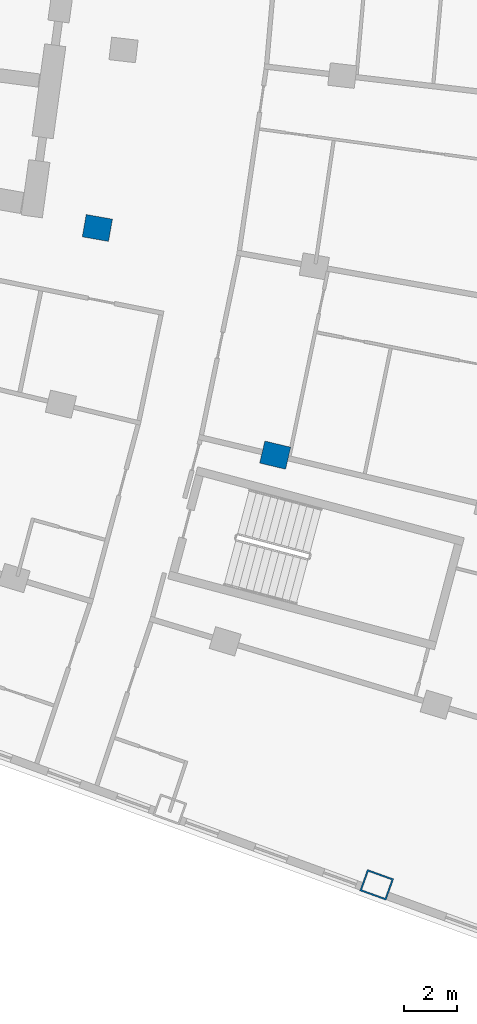
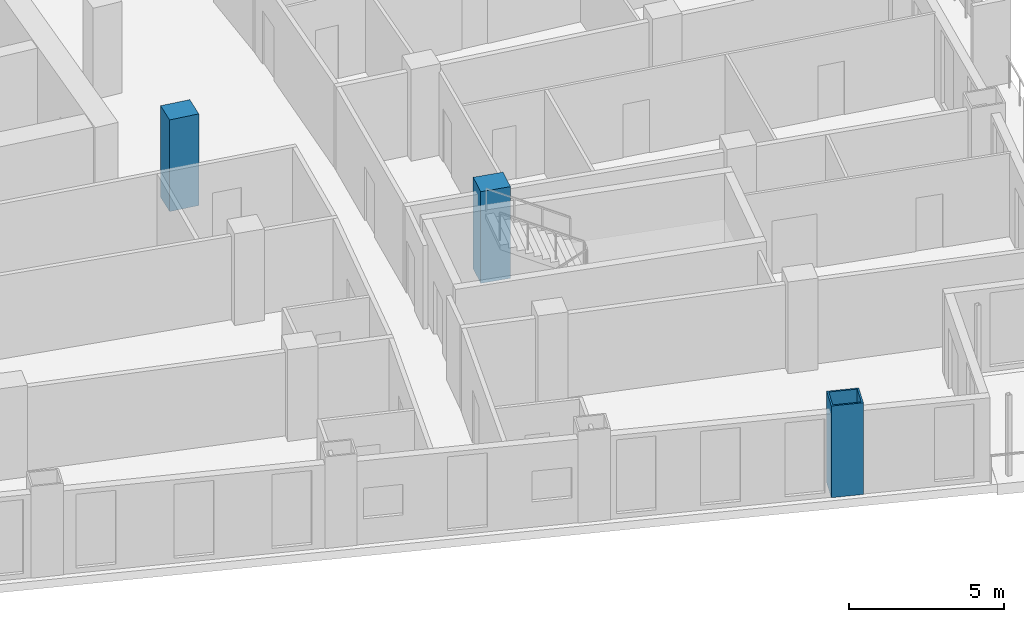
# One storey, part 4 of 25: 3 columns.
"""IFC4 building model written with IfcOpenShell, lengths in metres."""

import ifcopenshell
import ifcopenshell.guid

model = None  # the IFC model being written
_history = None  # IfcOwnerHistory: only IFC2X3 demands one
_inside = {}  # id of a spatial element -> (the spatial element, [elements in it])
_under = {}  # id of a project, library or spatial element -> (it, [spatial elements below it])
_declared = {}  # id of a project -> (the project, [libraries it declares])
_typed = {}  # id of a type object -> (the type object, [elements of that type])
_made_of = {}  # id of a material, layer set ... -> (it, [elements and type objects made of it])


def new_model(schema):
    """Start an empty IFC model of exactly this schema.

    Asked for "IFC4X3", IfcOpenShell would pick the latest addendum, in which some entities
    have other attributes; the version numbers below select the first issue.
    IFC2X3 requires an IfcOwnerHistory on every rooted entity: one is made here for all.
    """
    global model, _history
    if schema == "IFC4X3":
        model = ifcopenshell.file(schema_version=(4, 3, 0, 0))
    else:
        model = ifcopenshell.file(schema=schema)
    _inside.clear()
    _under.clear()
    _declared.clear()
    _typed.clear()
    _made_of.clear()
    _history = None
    if model.schema == "IFC2X3":
        org = make("IfcOrganization", Name="unknown")
        user = make(
            "IfcPersonAndOrganization",
            ThePerson=make("IfcPerson", FamilyName="unknown"),
            TheOrganization=org,
        )
        app = make(
            "IfcApplication",
            ApplicationDeveloper=org,
            Version="unknown",
            ApplicationFullName="unknown",
            ApplicationIdentifier="unknown",
        )
        _history = make(
            "IfcOwnerHistory",
            OwningUser=user,
            OwningApplication=app,
            ChangeAction="ADDED",
            CreationDate=0,
        )
    return model


def make(cls, **values):
    """One entity of the class cls with the attributes given. An attribute that is None is left unset."""
    return model.create_entity(
        cls, **{name: value for name, value in values.items() if value is not None}
    )


def rooted(cls, **values):
    """An entity with a GlobalId (a new one), such as an element, a storey or a relation."""
    return make(cls, GlobalId=ifcopenshell.guid.new(), OwnerHistory=_history, **values)


def si_unit(unit_type, name, prefix=None):
    """IfcSIUnit, for example si_unit("LENGTHUNIT", "METRE", prefix="MILLI")."""
    return make("IfcSIUnit", UnitType=unit_type, Prefix=prefix, Name=name)


def assignment(units):
    """IfcUnitAssignment: the units of a project."""
    return None if units is None else make("IfcUnitAssignment", Units=units)


def point(xyz):
    """IfcCartesianPoint."""
    return None if xyz is None else make("IfcCartesianPoint", Coordinates=xyz)


def direction(xyz):
    """IfcDirection."""
    return None if xyz is None else make("IfcDirection", DirectionRatios=xyz)


def frame(location, z_axis=None, x_axis=None):
    """IfcAxis2Placement3D, a coordinate frame: its origin and axes. An axis left out is left unset."""
    return make(
        "IfcAxis2Placement3D",
        Location=point(location),
        Axis=direction(z_axis),
        RefDirection=direction(x_axis),
    )


def frame_2d(location, x_axis=None):
    """IfcAxis2Placement2D, a coordinate frame in the plane: its origin and x axis."""
    return make(
        "IfcAxis2Placement2D", Location=point(location), RefDirection=direction(x_axis)
    )


def origin():
    """The frame at (0, 0, 0) with its axes left unset."""
    return frame((0.0, 0.0, 0.0))


def origin_2d():
    """The frame at (0, 0) in the plane with its x axis left unset."""
    return frame_2d((0.0, 0.0))


def place(relative_to, where):
    """IfcLocalPlacement: puts the frame where relative to a parent placement (None: the world)."""
    return make(
        "IfcLocalPlacement", PlacementRelTo=relative_to, RelativePlacement=where
    )


def context(
    kind, dimensions, precision=None, world=None, true_north=None, identifier=None
):
    """IfcGeometricRepresentationContext, for example the 3D "Model" context."""
    return make(
        "IfcGeometricRepresentationContext",
        ContextIdentifier=identifier,
        ContextType=kind,
        CoordinateSpaceDimension=dimensions,
        Precision=precision,
        WorldCoordinateSystem=world,
        TrueNorth=true_north,
    )


def subcontext(parent, identifier, kind, view, scale=None):
    """IfcGeometricRepresentationSubContext, for example "Body" below "Model"."""
    return make(
        "IfcGeometricRepresentationSubContext",
        ContextIdentifier=identifier,
        ContextType=kind,
        ParentContext=parent,
        TargetScale=scale,
        TargetView=view,
    )


def project(units=None, contexts=None):
    """IfcProject with its units and contexts."""
    return rooted(
        "IfcProject",
        Name="project",
        RepresentationContexts=contexts,
        UnitsInContext=assignment(units),
    )


def spatial(cls, under=None, at=None, **own):
    """A site, building, storey or space (cls), placed at a placement, below another one or the project."""
    s = rooted(cls, ObjectPlacement=at, **own)
    if under is not None:
        _under.setdefault(under.id(), (under, []))[1].append(s)
    return s


def profile(cls, at=None, kind="AREA", **sizes):
    """A parametric profile (cls). Its sizes go by their IFC names, for example OverallWidth=200.0."""
    return make(cls, ProfileType=kind, Position=at, **sizes)


def rectangle(**sizes):
    """IfcRectangleProfileDef."""
    return profile("IfcRectangleProfileDef", **sizes)


def hollow_rectangle(**sizes):
    """IfcRectangleHollowProfileDef."""
    return profile("IfcRectangleHollowProfileDef", **sizes)


def extrude(swept, where, along, depth):
    """IfcExtrudedAreaSolid: the profile swept, set in the frame where, extruded along a direction by depth."""
    return make(
        "IfcExtrudedAreaSolid",
        SweptArea=swept,
        Position=where,
        ExtrudedDirection=direction(along),
        Depth=depth,
    )


def shape(context_of_items, identifier, shape_type, items):
    """IfcShapeRepresentation: the items that make up one representation, for example the "Body"."""
    return make(
        "IfcShapeRepresentation",
        ContextOfItems=context_of_items,
        RepresentationIdentifier=identifier,
        RepresentationType=shape_type,
        Items=items,
    )


def material(Name=None, Category=None):
    """IfcMaterial."""
    return make("IfcMaterial", Name=Name, Category=Category)


def material_profile(
    of_material, cross_section, Name=None, Category=None, Priority=None
):
    """IfcMaterialProfile: a cross section and its material."""
    return make(
        "IfcMaterialProfile",
        Name=Name,
        Material=of_material,
        Profile=cross_section,
        Priority=Priority,
        Category=Category,
    )


def profile_set(profiles, Name=None, composite=None):
    """IfcMaterialProfileSet."""
    return make(
        "IfcMaterialProfileSet",
        Name=Name,
        MaterialProfiles=profiles,
        CompositeProfile=composite,
    )


def made_of(thing, what):
    """Note that an element or type object is made of a material, layer set ...; save() writes the relation."""
    if what is not None:
        _made_of.setdefault(what.id(), (what, []))[1].append(thing)
    return thing


def type_object(cls, material=None, **own):
    """A type object (cls), such as IfcWallType, which elements share."""
    return made_of(rooted(cls, **own), material)


def element(
    cls,
    number,
    at=None,
    inside=None,
    cuts=None,
    type_object=None,
    material=None,
    context=None,
    identifier="Body",
    shape_type=None,
    held_by="IfcProductDefinitionShape",
    body=None,
    shapes=None,
    **own,
):
    """One element of the class cls, such as IfcWall. Its Tag is "e" and its number.

    at: its placement. inside: the storey or other place that contains it. cuts: it is an
    opening in that element (IfcRelVoidsElement). A single representation is given by context,
    identifier, shape_type and body (its items); several are given by shapes. held_by: the class
    of the entity that holds the representations. save() writes the other relations.
    """
    e = rooted(cls, Tag="e%d" % number, ObjectPlacement=at, **own)
    if body is not None:
        shapes = [shape(context, identifier, shape_type, body)]
    if shapes is not None:
        e.Representation = make(held_by, Representations=shapes)
    if inside is not None:
        _inside.setdefault(inside.id(), (inside, []))[1].append(e)
    if cuts is not None:
        rooted(
            "IfcRelVoidsElement", RelatingBuildingElement=cuts, RelatedOpeningElement=e
        )
    if type_object is not None:
        _typed.setdefault(type_object.id(), (type_object, []))[1].append(e)
    return made_of(e, material)


def aggregate(whole, parts):
    """IfcRelAggregates: a whole, such as a stair, and the parts it consists of."""
    return rooted("IfcRelAggregates", RelatingObject=whole, RelatedObjects=parts)


def save(model, path):
    """Write the relations noted so far, then the file.

    IfcRelAggregates (storeys below a building ...), IfcRelContainedInSpatialStructure (elements
    in a storey), IfcRelDefinesByType, IfcRelAssociatesMaterial and IfcRelDeclares: one each for
    every whole, place, type object, material and project.
    """
    for whole, parts in _under.values():
        aggregate(whole, parts)
    for where, things in _inside.values():
        rooted(
            "IfcRelContainedInSpatialStructure",
            RelatedElements=things,
            RelatingStructure=where,
        )
    for kind, things in _typed.values():
        rooted("IfcRelDefinesByType", RelatedObjects=things, RelatingType=kind)
    for what, things in _made_of.values():
        rooted("IfcRelAssociatesMaterial", RelatedObjects=things, RelatingMaterial=what)
    for by, libraries in _declared.values():
        rooted("IfcRelDeclares", RelatingContext=by, RelatedDefinitions=libraries)
    model.write(path)


model = new_model("IFC4")

# Units and contexts
model_context = context("Model", 3, precision=1e-05, world=origin(), true_north=direction((0.0, 1.0)))
body_context = subcontext(model_context, "Body", "Model", "MODEL_VIEW")
ifc_project = project(units=[si_unit("LENGTHUNIT", "METRE"), si_unit("AREAUNIT", "SQUARE_METRE"), si_unit("VOLUMEUNIT", "CUBIC_METRE"), si_unit("PLANEANGLEUNIT", "RADIAN"), si_unit("MASSUNIT", "GRAM", prefix="KILO")], contexts=[model_context])

# Site, building, storey
site_placement = place(None, origin())
site = spatial("IfcSite", under=ifc_project, at=site_placement, CompositionType="ELEMENT")
building_placement = place(site_placement, origin())
building = spatial("IfcBuilding", under=site, at=building_placement, Name="Alderwake Tower", CompositionType="ELEMENT")
storey_placement = place(building_placement, frame((0.0, 0.0, 118.39990234375)))
storey = spatial("IfcBuildingStorey", under=building, at=storey_placement, Name="L29", CompositionType="ELEMENT", Elevation=118.39990234375)

# Columns
ifc_material_1 = material(Name="Steel ASTM A572 Grade 50 concrete filled C70/85", Category="concrete")
ifc_material_profile_1 = material_profile(ifc_material_1, hollow_rectangle(XDim=0.85009765625, YDim=1.050048828125, WallThickness=0.06005859375, at=origin_2d()), Name="BOX 1050X850X60")
ifc_profile_set_1 = profile_set([ifc_material_profile_1], Name="Steel ASTM A572 Grade 50 concrete filled C70/85")
column_type_1 = type_object("IfcColumnType", Name="End column Z2", PredefinedType="COLUMN", material=ifc_profile_set_1)
column_placement = place(storey_placement, frame((44.514892578125, 16.187255859375, 0.0), z_axis=(0.0, 0.0, 1.0), x_axis=(0.338634462954, 0.940918009446, 0.0)))
element("IfcColumn", 1, at=column_placement, inside=storey, type_object=column_type_1, Name="Column R01-C4", PredefinedType="COLUMN", context=body_context, shape_type="SweptSolid", body=[
    extrude(hollow_rectangle(XDim=0.85009765625, YDim=1.050048828125, WallThickness=0.06005859375, at=origin_2d()), origin(), (0.0, 0.0, 1.0), 3.60009765625),
])
ifc_material_2 = material(Name="Concrete C70/85", Category="concrete")
ifc_material_profile_2 = material_profile(ifc_material_2, rectangle(XDim=0.85009765625, YDim=1.0, at=origin_2d()), Name="RC 1000X850")
ifc_profile_set_2 = profile_set([ifc_material_profile_2], Name="Concrete C70/85")
column_type_2 = type_object("IfcColumnType", Name="Interior column Z2", PredefinedType="COLUMN", material=ifc_profile_set_2)
for number, where, z_axis, x_axis, name in (
    (2, (40.70458984375, 32.31298828125, 0.0), (0.0, 0.0, 1.0), (0.231221547198, 0.972901123502, 0.0), "Column R03-C3"),
    (3, (34.03125, 40.83837890625, 0.0), (0.0, 0.0, 1.0), (0.174108800747, 0.984726421654, 0.0), "Column R04-C2"),
):
    element("IfcColumn", number, at=place(storey_placement, frame(where, z_axis=z_axis, x_axis=x_axis)), inside=storey, type_object=column_type_2, Name=name, PredefinedType="COLUMN", context=body_context, shape_type="SweptSolid", body=[
        extrude(rectangle(XDim=0.85009765625, YDim=1.0, at=origin_2d()), origin(), (0.0, 0.0, 1.0), 3.60009765625),
    ])

save(model, "model.ifc")
